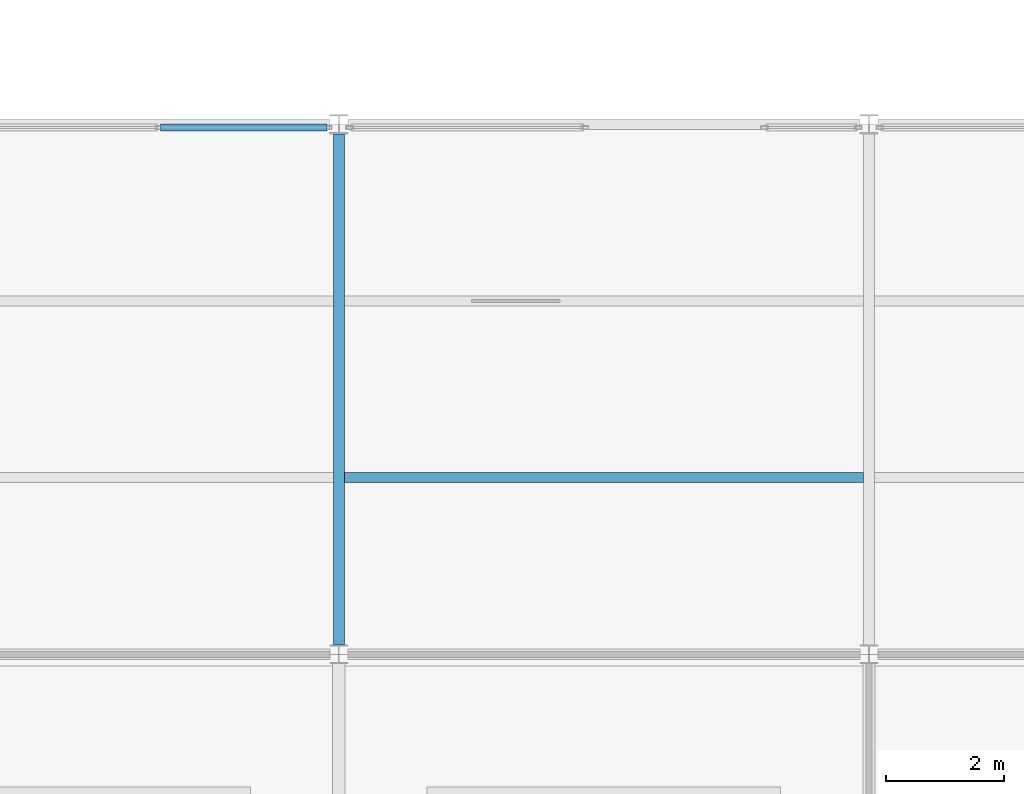
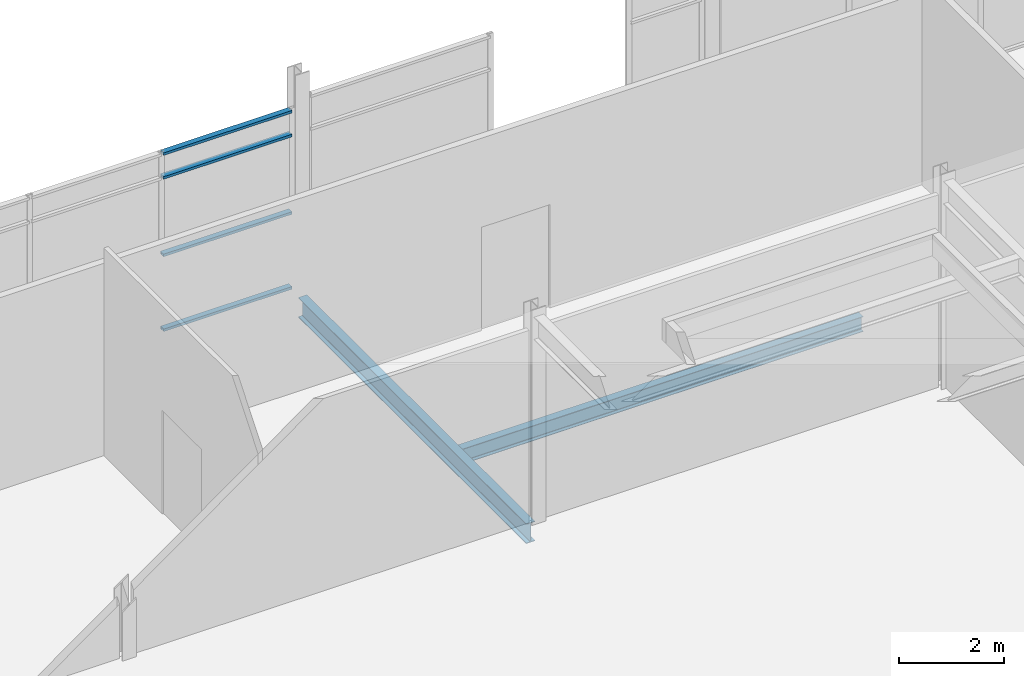
# One storey, part 30 of 115: 4 members, 2 beams, 1 element without a shape of its own.
"""IFC4 building model written with IfcOpenShell, lengths in metres."""

import ifcopenshell
import ifcopenshell.guid

model = None  # the IFC model being written
_history = None  # IfcOwnerHistory: only IFC2X3 demands one
_inside = {}  # id of a spatial element -> (the spatial element, [elements in it])
_under = {}  # id of a project, library or spatial element -> (it, [spatial elements below it])
_declared = {}  # id of a project -> (the project, [libraries it declares])
_typed = {}  # id of a type object -> (the type object, [elements of that type])
_made_of = {}  # id of a material, layer set ... -> (it, [elements and type objects made of it])


def new_model(schema):
    """Start an empty IFC model of exactly this schema.

    Asked for "IFC4X3", IfcOpenShell would pick the latest addendum, in which some entities
    have other attributes; the version numbers below select the first issue.
    IFC2X3 requires an IfcOwnerHistory on every rooted entity: one is made here for all.
    """
    global model, _history
    if schema == "IFC4X3":
        model = ifcopenshell.file(schema_version=(4, 3, 0, 0))
    else:
        model = ifcopenshell.file(schema=schema)
    _inside.clear()
    _under.clear()
    _declared.clear()
    _typed.clear()
    _made_of.clear()
    _history = None
    if model.schema == "IFC2X3":
        org = make("IfcOrganization", Name="unknown")
        user = make(
            "IfcPersonAndOrganization",
            ThePerson=make("IfcPerson", FamilyName="unknown"),
            TheOrganization=org,
        )
        app = make(
            "IfcApplication",
            ApplicationDeveloper=org,
            Version="unknown",
            ApplicationFullName="unknown",
            ApplicationIdentifier="unknown",
        )
        _history = make(
            "IfcOwnerHistory",
            OwningUser=user,
            OwningApplication=app,
            ChangeAction="ADDED",
            CreationDate=0,
        )
    return model


def make(cls, **values):
    """One entity of the class cls with the attributes given. An attribute that is None is left unset."""
    return model.create_entity(
        cls, **{name: value for name, value in values.items() if value is not None}
    )


def rooted(cls, **values):
    """An entity with a GlobalId (a new one), such as an element, a storey or a relation."""
    return make(cls, GlobalId=ifcopenshell.guid.new(), OwnerHistory=_history, **values)


def si_unit(unit_type, name, prefix=None):
    """IfcSIUnit, for example si_unit("LENGTHUNIT", "METRE", prefix="MILLI")."""
    return make("IfcSIUnit", UnitType=unit_type, Prefix=prefix, Name=name)


def assignment(units):
    """IfcUnitAssignment: the units of a project."""
    return None if units is None else make("IfcUnitAssignment", Units=units)


def point(xyz):
    """IfcCartesianPoint."""
    return None if xyz is None else make("IfcCartesianPoint", Coordinates=xyz)


def direction(xyz):
    """IfcDirection."""
    return None if xyz is None else make("IfcDirection", DirectionRatios=xyz)


def frame(location, z_axis=None, x_axis=None):
    """IfcAxis2Placement3D, a coordinate frame: its origin and axes. An axis left out is left unset."""
    return make(
        "IfcAxis2Placement3D",
        Location=point(location),
        Axis=direction(z_axis),
        RefDirection=direction(x_axis),
    )


def frame_2d(location, x_axis=None):
    """IfcAxis2Placement2D, a coordinate frame in the plane: its origin and x axis."""
    return make(
        "IfcAxis2Placement2D", Location=point(location), RefDirection=direction(x_axis)
    )


def origin():
    """The frame at (0, 0, 0) with its axes left unset."""
    return frame((0.0, 0.0, 0.0))


def origin_2d():
    """The frame at (0, 0) in the plane with its x axis left unset."""
    return frame_2d((0.0, 0.0))


def place(relative_to, where):
    """IfcLocalPlacement: puts the frame where relative to a parent placement (None: the world)."""
    return make(
        "IfcLocalPlacement", PlacementRelTo=relative_to, RelativePlacement=where
    )


def context(
    kind, dimensions, precision=None, world=None, true_north=None, identifier=None
):
    """IfcGeometricRepresentationContext, for example the 3D "Model" context."""
    return make(
        "IfcGeometricRepresentationContext",
        ContextIdentifier=identifier,
        ContextType=kind,
        CoordinateSpaceDimension=dimensions,
        Precision=precision,
        WorldCoordinateSystem=world,
        TrueNorth=true_north,
    )


def subcontext(parent, identifier, kind, view, scale=None):
    """IfcGeometricRepresentationSubContext, for example "Body" below "Model"."""
    return make(
        "IfcGeometricRepresentationSubContext",
        ContextIdentifier=identifier,
        ContextType=kind,
        ParentContext=parent,
        TargetScale=scale,
        TargetView=view,
    )


def project(units=None, contexts=None):
    """IfcProject with its units and contexts."""
    return rooted(
        "IfcProject",
        Name="project",
        RepresentationContexts=contexts,
        UnitsInContext=assignment(units),
    )


def spatial(cls, under=None, at=None, **own):
    """A site, building, storey or space (cls), placed at a placement, below another one or the project."""
    s = rooted(cls, ObjectPlacement=at, **own)
    if under is not None:
        _under.setdefault(under.id(), (under, []))[1].append(s)
    return s


def profile(cls, at=None, kind="AREA", **sizes):
    """A parametric profile (cls). Its sizes go by their IFC names, for example OverallWidth=200.0."""
    return make(cls, ProfileType=kind, Position=at, **sizes)


def hollow_rectangle(**sizes):
    """IfcRectangleHollowProfileDef."""
    return profile("IfcRectangleHollowProfileDef", **sizes)


def i_section(**sizes):
    """IfcIShapeProfileDef."""
    return profile("IfcIShapeProfileDef", **sizes)


def extrude(swept, where, along, depth):
    """IfcExtrudedAreaSolid: the profile swept, set in the frame where, extruded along a direction by depth."""
    return make(
        "IfcExtrudedAreaSolid",
        SweptArea=swept,
        Position=where,
        ExtrudedDirection=direction(along),
        Depth=depth,
    )


def shape(context_of_items, identifier, shape_type, items):
    """IfcShapeRepresentation: the items that make up one representation, for example the "Body"."""
    return make(
        "IfcShapeRepresentation",
        ContextOfItems=context_of_items,
        RepresentationIdentifier=identifier,
        RepresentationType=shape_type,
        Items=items,
    )


def material(Name=None, Category=None):
    """IfcMaterial."""
    return make("IfcMaterial", Name=Name, Category=Category)


def layer(
    of_material, thickness, ventilated=None, Name=None, Category=None, Priority=None
):
    """IfcMaterialLayer: one layer of a wall or slab, of a material (None: an air gap)."""
    return make(
        "IfcMaterialLayer",
        Material=of_material,
        LayerThickness=thickness,
        IsVentilated=ventilated,
        Name=Name,
        Category=Category,
        Priority=Priority,
    )


def layer_set(layers, Name=None):
    """IfcMaterialLayerSet."""
    return make("IfcMaterialLayerSet", MaterialLayers=layers, LayerSetName=Name)


def material_profile(
    of_material, cross_section, Name=None, Category=None, Priority=None
):
    """IfcMaterialProfile: a cross section and its material."""
    return make(
        "IfcMaterialProfile",
        Name=Name,
        Material=of_material,
        Profile=cross_section,
        Priority=Priority,
        Category=Category,
    )


def profile_set(profiles, Name=None, composite=None):
    """IfcMaterialProfileSet."""
    return make(
        "IfcMaterialProfileSet",
        Name=Name,
        MaterialProfiles=profiles,
        CompositeProfile=composite,
    )


def made_of(thing, what):
    """Note that an element or type object is made of a material, layer set ...; save() writes the relation."""
    if what is not None:
        _made_of.setdefault(what.id(), (what, []))[1].append(thing)
    return thing


def type_object(cls, material=None, **own):
    """A type object (cls), such as IfcWallType, which elements share."""
    return made_of(rooted(cls, **own), material)


def element(
    cls,
    number,
    at=None,
    inside=None,
    cuts=None,
    type_object=None,
    material=None,
    context=None,
    identifier="Body",
    shape_type=None,
    held_by="IfcProductDefinitionShape",
    body=None,
    shapes=None,
    **own,
):
    """One element of the class cls, such as IfcWall. Its Tag is "e" and its number.

    at: its placement. inside: the storey or other place that contains it. cuts: it is an
    opening in that element (IfcRelVoidsElement). A single representation is given by context,
    identifier, shape_type and body (its items); several are given by shapes. held_by: the class
    of the entity that holds the representations. save() writes the other relations.
    """
    e = rooted(cls, Tag="e%d" % number, ObjectPlacement=at, **own)
    if body is not None:
        shapes = [shape(context, identifier, shape_type, body)]
    if shapes is not None:
        e.Representation = make(held_by, Representations=shapes)
    if inside is not None:
        _inside.setdefault(inside.id(), (inside, []))[1].append(e)
    if cuts is not None:
        rooted(
            "IfcRelVoidsElement", RelatingBuildingElement=cuts, RelatedOpeningElement=e
        )
    if type_object is not None:
        _typed.setdefault(type_object.id(), (type_object, []))[1].append(e)
    return made_of(e, material)


def aggregate(whole, parts):
    """IfcRelAggregates: a whole, such as a stair, and the parts it consists of."""
    return rooted("IfcRelAggregates", RelatingObject=whole, RelatedObjects=parts)


def save(model, path):
    """Write the relations noted so far, then the file.

    IfcRelAggregates (storeys below a building ...), IfcRelContainedInSpatialStructure (elements
    in a storey), IfcRelDefinesByType, IfcRelAssociatesMaterial and IfcRelDeclares: one each for
    every whole, place, type object, material and project.
    """
    for whole, parts in _under.values():
        aggregate(whole, parts)
    for where, things in _inside.values():
        rooted(
            "IfcRelContainedInSpatialStructure",
            RelatedElements=things,
            RelatingStructure=where,
        )
    for kind, things in _typed.values():
        rooted("IfcRelDefinesByType", RelatedObjects=things, RelatingType=kind)
    for what, things in _made_of.values():
        rooted("IfcRelAssociatesMaterial", RelatedObjects=things, RelatingMaterial=what)
    for by, libraries in _declared.values():
        rooted("IfcRelDeclares", RelatingContext=by, RelatedDefinitions=libraries)
    model.write(path)


model = new_model("IFC4")

# Units and contexts
model_context = context("Model", 3, precision=1e-05, world=origin(), true_north=direction((0.0, 1.0)))
body_context = subcontext(model_context, "Body", "Model", "MODEL_VIEW")
ifc_project = project(units=[si_unit("LENGTHUNIT", "METRE"), si_unit("AREAUNIT", "SQUARE_METRE"), si_unit("VOLUMEUNIT", "CUBIC_METRE"), si_unit("PLANEANGLEUNIT", "RADIAN"), si_unit("MASSUNIT", "GRAM", prefix="KILO")], contexts=[model_context])

# Site, building, storey
site_placement = place(None, origin())
site = spatial("IfcSite", under=ifc_project, at=site_placement, CompositionType="ELEMENT")
building_placement = place(site_placement, origin())
building = spatial("IfcBuilding", under=site, at=building_placement, Name="Shorebreak Coast Museum", CompositionType="ELEMENT")
storey_placement = place(building_placement, frame((0.0, 0.0, 11.0)))
storey = spatial("IfcBuildingStorey", under=building, at=storey_placement, Name="L02", CompositionType="ELEMENT", Elevation=11.0)

# Beams
ifc_material_1 = material(Name="Steel Grade 300", Category="steel")
ifc_material_profile_1 = material_profile(ifc_material_1, i_section(OverallWidth=0.19091796875, OverallDepth=0.46044921875, WebThickness=0.010009765625, FlangeThickness=0.01611328125, FilletRadius=0.011474609375, at=origin_2d()), Name="460UB82.1")
ifc_profile_set_1 = profile_set([ifc_material_profile_1], Name="Steel Grade 300")
beam_type_1 = type_object("IfcBeamType", Name="Floor girder north-south 460UB82.1", PredefinedType="BEAM", material=ifc_profile_set_1)
beam_1_placement = place(storey_placement, frame((90.0, 54.160400390625, -0.4052734375), z_axis=(0.0, 1.0, 0.0), x_axis=(-1.0, 0.0, 0.0)))
element("IfcBeam", 1, at=beam_1_placement, inside=storey, type_object=beam_type_1, Name="Floor girder north-south L02 11G", PredefinedType="BEAM", context=body_context, shape_type="SweptSolid", body=[
    extrude(i_section(OverallWidth=0.19091796875, OverallDepth=0.46044921875, WebThickness=0.010009765625, FlangeThickness=0.01611328125, FilletRadius=0.011474609375, at=origin_2d()), origin(), (0.0, 0.0, 1.0), 8.676025390625),
])
ifc_material_2 = material(Name="Steel Grade 300", Category="steel")
ifc_material_profile_2 = material_profile(ifc_material_2, i_section(OverallWidth=0.1708984375, OverallDepth=0.35205078125, WebThickness=0.0068359375, FlangeThickness=0.009765625, FilletRadius=0.011474609375, at=origin_2d()), Name="360UB44.7")
ifc_profile_set_2 = profile_set([ifc_material_profile_2], Name="Steel Grade 300")
beam_type_2 = type_object("IfcBeamType", Name="Floor joist 360UB44.7", PredefinedType="JOIST", material=ifc_profile_set_2)
beam_2_placement = place(storey_placement, frame((90.095458984375, 57.0, -0.35107421875), z_axis=(1.0, 0.0, 0.0), x_axis=(0.0, 1.0, 0.0)))
element("IfcBeam", 2, at=beam_2_placement, inside=storey, type_object=beam_type_2, Name="Floor joist L02 bay 11G at 3000 mm", PredefinedType="JOIST", context=body_context, shape_type="SweptSolid", body=[
    extrude(i_section(OverallWidth=0.1708984375, OverallDepth=0.35205078125, WebThickness=0.0068359375, FlangeThickness=0.009765625, FilletRadius=0.011474609375, at=origin_2d()), origin(), (0.0, 0.0, 1.0), 8.80908203125),
])

# Curtain wall, members
ifc_material_3 = material(Name="Aluminium", Category="aluminium")
ifc_layer = layer(ifc_material_3, 0.1201171875)
ifc_layer_set = layer_set([ifc_layer], Name="Aluminium")
curtain_wall_type = type_object("IfcCurtainWallType", Name="Atrium fire screen", PredefinedType="NOTDEFINED", material=ifc_layer_set)
curtain_wall_placement = place(storey_placement, origin())
curtain_wall = element("IfcCurtainWall", 3, at=curtain_wall_placement, inside=storey, type_object=curtain_wall_type, Name="Atrium screen L02 S 18", PredefinedType="NOTDEFINED")
ifc_material_4 = material(Name="Aluminium", Category="aluminium")
ifc_material_profile_3 = material_profile(ifc_material_4, hollow_rectangle(XDim=0.1201171875, YDim=0.06005859375, WallThickness=0.00341796875, at=origin_2d()), Name="AL 60x120 RHS")
ifc_profile_set_3 = profile_set([ifc_material_profile_3], Name="Aluminium")
member_type = type_object("IfcMemberType", Name="Screen transom 120 x 50", PredefinedType="USERDEFINED", material=ifc_profile_set_3)
member_1_placement = place(storey_placement, frame((86.97314453125, 62.93994140625, 0.06005859375), z_axis=(1.0, 0.0, 0.0), x_axis=(0.0, 1.0, 0.0)))
member_1 = element("IfcMember", 4, at=member_1_placement, type_object=member_type, Name="CW4 transom 3.1", ObjectType="TRANSOM", PredefinedType="USERDEFINED", context=body_context, shape_type="SweptSolid", body=[
    extrude(hollow_rectangle(XDim=0.1201171875, YDim=0.06005859375, WallThickness=0.00341796875, at=origin_2d()), origin(), (0.0, 0.0, 1.0), 2.8212890625),
])
member_2_placement = place(storey_placement, frame((86.97314453125, 62.93994140625, 1.800048828125), z_axis=(1.0, 0.0, 0.0), x_axis=(0.0, 1.0, 0.0)))
member_2 = element("IfcMember", 5, at=member_2_placement, type_object=member_type, Name="CW4 transom 3.2", ObjectType="TRANSOM", PredefinedType="USERDEFINED", context=body_context, shape_type="SweptSolid", body=[
    extrude(hollow_rectangle(XDim=0.1201171875, YDim=0.06005859375, WallThickness=0.00341796875, at=origin_2d()), origin(), (0.0, 0.0, 1.0), 2.8212890625),
])
member_3_placement = place(storey_placement, frame((86.97314453125, 62.93994140625, 3.60009765625), z_axis=(1.0, 0.0, 0.0), x_axis=(0.0, 1.0, 0.0)))
member_3 = element("IfcMember", 6, at=member_3_placement, type_object=member_type, Name="CW4 transom 3.3", ObjectType="TRANSOM", PredefinedType="USERDEFINED", context=body_context, shape_type="SweptSolid", body=[
    extrude(hollow_rectangle(XDim=0.1201171875, YDim=0.06005859375, WallThickness=0.00341796875, at=origin_2d()), origin(), (0.0, 0.0, 1.0), 2.8212890625),
])
member_4_placement = place(storey_placement, frame((86.97314453125, 62.93994140625, 4.153076171875), z_axis=(1.0, 0.0, 0.0), x_axis=(0.0, 1.0, 0.0)))
member_4 = element("IfcMember", 7, at=member_4_placement, type_object=member_type, Name="CW4 transom 3.4", ObjectType="TRANSOM", PredefinedType="USERDEFINED", context=body_context, shape_type="SweptSolid", body=[
    extrude(hollow_rectangle(XDim=0.1201171875, YDim=0.06005859375, WallThickness=0.00341796875, at=origin_2d()), origin(), (0.0, 0.0, 1.0), 2.8212890625),
])
aggregate(curtain_wall, [member_1, member_2, member_3, member_4])

save(model, "model.ifc")
